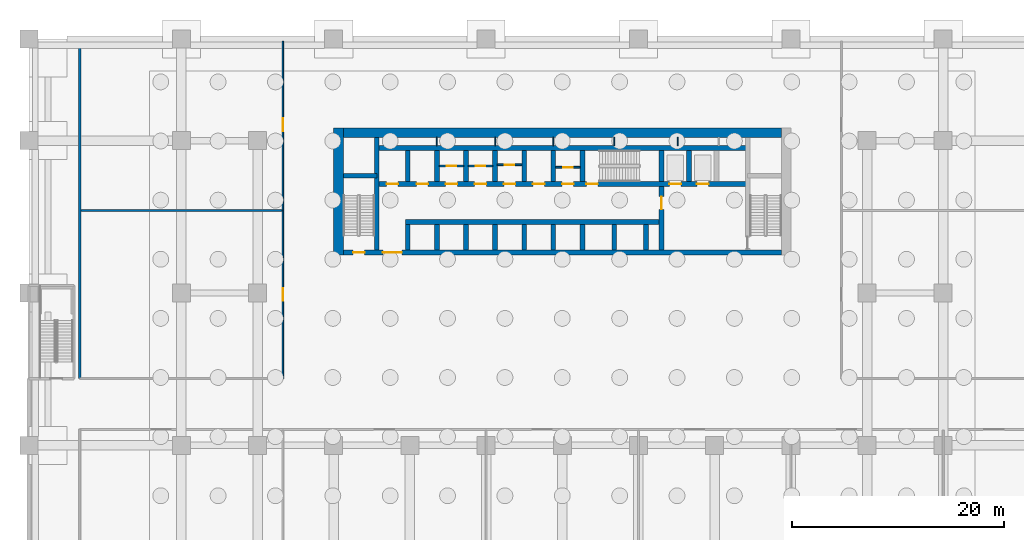
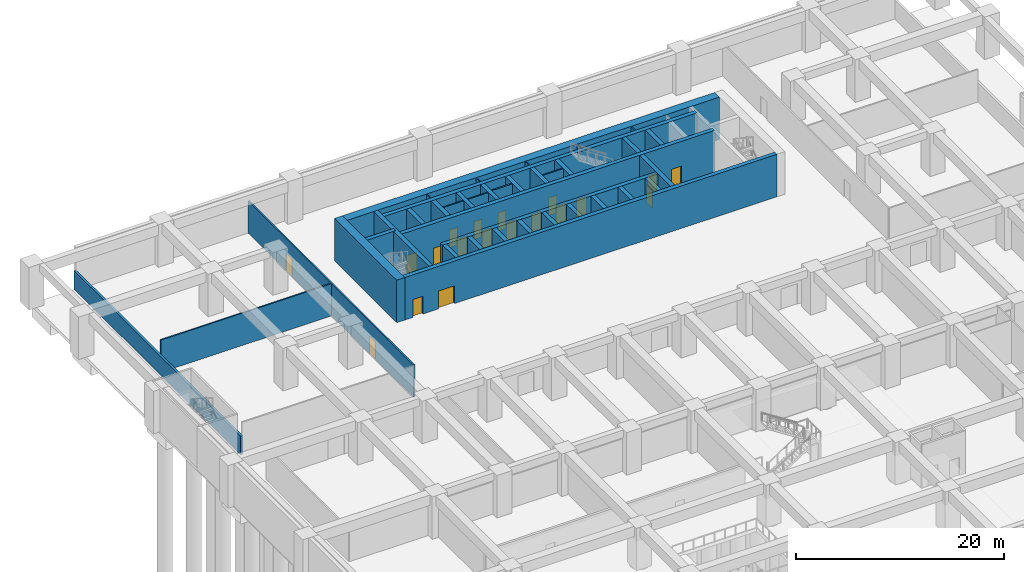
# One storey, part 8 of 20: 39 walls, 19 doors, 19 openings.
"""IFC4 building model written with IfcOpenShell, lengths in metres."""

from ifc_helpers import new_model, si_unit, direction, frame, frame_2d, origin, place, context, subcontext, project, spatial, rectangle, extrude, material, layer, layer_set, type_object, element, fill, save


model = new_model("IFC4")

# Units and contexts
model_context = context("Model", 3, precision=1e-05, world=origin(), true_north=direction((0.0, 1.0)))
body_context = subcontext(model_context, "Body", "Model", "MODEL_VIEW")
ifc_project = project(units=[si_unit("LENGTHUNIT", "METRE"), si_unit("AREAUNIT", "SQUARE_METRE"), si_unit("VOLUMEUNIT", "CUBIC_METRE"), si_unit("PLANEANGLEUNIT", "RADIAN"), si_unit("MASSUNIT", "GRAM", prefix="KILO")], contexts=[model_context])

# Site, building, storey
site_placement = place(None, origin())
site = spatial("IfcSite", under=ifc_project, at=site_placement, CompositionType="ELEMENT")
building_placement = place(site_placement, origin())
building = spatial("IfcBuilding", under=site, at=building_placement, Name="Saffron Iwan Residences", CompositionType="ELEMENT")
storey_placement = place(building_placement, frame((0.0, 0.0, -5.39990234375)))
storey = spatial("IfcBuildingStorey", under=building, at=storey_placement, Name="B1", CompositionType="ELEMENT", Elevation=-5.39990234375)

# Wall
ifc_material_1 = material(Name="Concrete blockwork", Category="masonry")
ifc_layer_1 = layer(ifc_material_1, 0.14990234375)
ifc_layer_set_1 = layer_set([ifc_layer_1], Name="Concrete blockwork")
wall_type_1 = type_object("IfcWallType", Name="Blockwork partition 150", PredefinedType="PARTITIONING", material=ifc_layer_set_1)
wall_1_placement = place(storey_placement, frame((4.925048828125, 70.199951171875, 0.0), z_axis=(0.0, 0.0, 1.0), x_axis=(1.0, 0.0, 0.0)))
element("IfcWall", 1, at=wall_1_placement, inside=storey, type_object=wall_type_1, Name="W-B1-021", PredefinedType="PARTITIONING", context=body_context, shape_type="SweptSolid", body=[
    extrude(rectangle(XDim=19.0, YDim=0.14990234375, at=frame_2d((9.5, 0.0))), origin(), (0.0, 0.0, 1.0), 3.7998046875),
])

# Wall, openings, doors
wall_2_placement = place(storey_placement, frame((24.0, 54.300048828125, 0.0), z_axis=(0.0, 0.0, 1.0), x_axis=(0.0, 1.0, 0.0)))
wall_2 = element("IfcWall", 2, at=wall_2_placement, inside=storey, type_object=wall_type_1, Name="W-B1-034", PredefinedType="PARTITIONING", context=body_context, shape_type="SweptSolid", body=[
    extrude(rectangle(XDim=31.89990234375, YDim=0.14990234375, at=frame_2d((15.949951171875, 0.0))), origin(), (0.0, 0.0, 1.0), 3.7998046875),
])
opening_1_placement = place(wall_2_placement, frame((7.35009765625, 0.0, 0.0)))
opening_1 = element("IfcOpeningElement", 3, at=opening_1_placement, cuts=wall_2, Name="Opening B1.17", PredefinedType="OPENING", context=body_context, shape_type="SweptSolid", body=[
    extrude(rectangle(XDim=1.199951171875, YDim=2.10009765625, at=frame_2d((0.60009765625, 1.050048828125))), frame((0.0, 0.0849609375, 0.0), z_axis=(0.0, -1.0, 0.0), x_axis=(1.0, 0.0, 0.0)), (0.0, 0.0, 1.0), 0.169921875),
])
opening_2_placement = place(wall_2_placement, frame((23.39990234375, 0.0, 0.0)))
opening_2 = element("IfcOpeningElement", 4, at=opening_2_placement, cuts=wall_2, Name="Opening B1.18", PredefinedType="OPENING", context=body_context, shape_type="SweptSolid", body=[
    extrude(rectangle(XDim=1.199951171875, YDim=2.10009765625, at=frame_2d((0.60009765625, 1.050048828125))), frame((0.0, 0.0849609375, 0.0), z_axis=(0.0, -1.0, 0.0), x_axis=(1.0, 0.0, 0.0)), (0.0, 0.0, 1.0), 0.169921875),
])
ifc_material_2 = material(Name="Steel", Category="steel")
door_type_1 = type_object("IfcDoorType", Name="Fire door 1200x2100", OperationType="NOTDEFINED", PredefinedType="DOOR", material=ifc_material_2)
door_1_placement = place(opening_1_placement, origin())
door_1 = element("IfcDoor", 5, at=door_1_placement, inside=storey, type_object=door_type_1, Name="D-B1-017", OperationType="SINGLE_SWING_LEFT", OverallHeight=2.10009765625, OverallWidth=1.199951171875, PredefinedType="DOOR", context=body_context, shape_type="SweptSolid", body=[
    extrude(rectangle(XDim=1.199951171875, YDim=2.10009765625, at=frame_2d((0.60009765625, 1.050048828125))), frame((0.0, 0.02490234375, 0.0), z_axis=(0.0, -1.0, 0.0), x_axis=(1.0, 0.0, 0.0)), (0.0, 0.0, 1.0), 0.050048828125),
])
fill(opening_1, door_1)
door_2_placement = place(opening_2_placement, origin())
door_2 = element("IfcDoor", 6, at=door_2_placement, inside=storey, type_object=door_type_1, Name="D-B1-018", OperationType="SINGLE_SWING_RIGHT", OverallHeight=2.10009765625, OverallWidth=1.199951171875, PredefinedType="DOOR", context=body_context, shape_type="SweptSolid", body=[
    extrude(rectangle(XDim=1.199951171875, YDim=2.10009765625, at=frame_2d((0.60009765625, 1.050048828125))), frame((0.0, 0.02490234375, 0.0), z_axis=(0.0, -1.0, 0.0), x_axis=(1.0, 0.0, 0.0)), (0.0, 0.0, 1.0), 0.050048828125),
])
fill(opening_2, door_2)

# Wall, opening, door
ifc_material_3 = material(Name="Fire-rated plasterboard partition")
ifc_layer_2 = layer(ifc_material_3, 0.14990234375)
ifc_layer_set_2 = layer_set([ifc_layer_2], Name="Fire-rated plasterboard partition")
wall_type_2 = type_object("IfcWallType", Name="Core partition 150", PredefinedType="PARTITIONING", material=ifc_layer_set_2)
wall_3_placement = place(storey_placement, frame((38.77490234375, 74.39990234375, 0.0), z_axis=(0.0, 0.0, 1.0), x_axis=(1.0, 0.0, 0.0)))
wall_3 = element("IfcWall", 7, at=wall_3_placement, inside=storey, type_object=wall_type_2, Name="Core partition P01", PredefinedType="PARTITIONING", context=body_context, shape_type="SweptSolid", body=[
    extrude(rectangle(XDim=2.300048828125, YDim=0.14990234375, at=frame_2d((1.14990234375, 0.0))), origin(), (0.0, 0.0, 1.0), 5.0),
])
opening_3_placement = place(wall_3_placement, frame((0.699951171875, 0.0, 0.0)))
opening_3 = element("IfcOpeningElement", 8, at=opening_3_placement, cuts=wall_3, Name="Opening SB", PredefinedType="OPENING", context=body_context, shape_type="SweptSolid", body=[
    extrude(rectangle(XDim=0.89990234375, YDim=2.10009765625, at=frame_2d((0.449951171875, 1.050048828125))), frame((0.0, 0.0849609375, 0.0), z_axis=(0.0, -1.0, 0.0), x_axis=(1.0, 0.0, 0.0)), (0.0, 0.0, 1.0), 0.169921875),
])
ifc_material_4 = material(Name="Steel fire door", Category="steel")
door_type_2 = type_object("IfcDoorType", Name="Store door 900", OperationType="NOTDEFINED", PredefinedType="DOOR", material=ifc_material_4)
door_3_placement = place(opening_3_placement, origin())
door_3 = element("IfcDoor", 9, at=door_3_placement, inside=storey, type_object=door_type_2, Name="Door Records store", OperationType="SINGLE_SWING_RIGHT", OverallHeight=2.10009765625, OverallWidth=0.89990234375, PredefinedType="DOOR", context=body_context, shape_type="SweptSolid", body=[
    extrude(rectangle(XDim=0.89990234375, YDim=2.10009765625, at=frame_2d((0.449951171875, 1.050048828125))), frame((0.0, 0.02490234375, 0.0), z_axis=(0.0, -1.0, 0.0), x_axis=(1.0, 0.0, 0.0)), (0.0, 0.0, 1.0), 0.050048828125),
])
fill(opening_3, door_3)

wall_4_placement = place(storey_placement, frame((41.52490234375, 74.39990234375, 0.0), z_axis=(0.0, 0.0, 1.0), x_axis=(1.0, 0.0, 0.0)))
wall_4 = element("IfcWall", 10, at=wall_4_placement, inside=storey, type_object=wall_type_2, Name="Core partition P02", PredefinedType="PARTITIONING", context=body_context, shape_type="SweptSolid", body=[
    extrude(rectangle(XDim=2.300048828125, YDim=0.14990234375, at=frame_2d((1.14990234375, 0.0))), origin(), (0.0, 0.0, 1.0), 5.0),
])
opening_4_placement = place(wall_4_placement, frame((0.699951171875, 0.0, 0.0)))
opening_4 = element("IfcOpeningElement", 11, at=opening_4_placement, cuts=wall_4, Name="Opening SB", PredefinedType="OPENING", context=body_context, shape_type="SweptSolid", body=[
    extrude(rectangle(XDim=0.89990234375, YDim=2.10009765625, at=frame_2d((0.449951171875, 1.050048828125))), frame((0.0, 0.0849609375, 0.0), z_axis=(0.0, -1.0, 0.0), x_axis=(1.0, 0.0, 0.0)), (0.0, 0.0, 1.0), 0.169921875),
])
door_4_placement = place(opening_4_placement, origin())
door_4 = element("IfcDoor", 12, at=door_4_placement, inside=storey, type_object=door_type_2, Name="Door Stationery store", OperationType="SINGLE_SWING_LEFT", OverallHeight=2.10009765625, OverallWidth=0.89990234375, PredefinedType="DOOR", context=body_context, shape_type="SweptSolid", body=[
    extrude(rectangle(XDim=0.89990234375, YDim=2.10009765625, at=frame_2d((0.449951171875, 1.050048828125))), frame((0.0, 0.02490234375, 0.0), z_axis=(0.0, -1.0, 0.0), x_axis=(1.0, 0.0, 0.0)), (0.0, 0.0, 1.0), 0.050048828125),
])
fill(opening_4, door_4)

wall_5_placement = place(storey_placement, frame((44.27490234375, 74.51806640625, 0.0), z_axis=(0.0, 0.0, 1.0), x_axis=(1.0, 0.0, 0.0)))
wall_5 = element("IfcWall", 13, at=wall_5_placement, inside=storey, type_object=wall_type_2, Name="Core partition P03", PredefinedType="PARTITIONING", context=body_context, shape_type="SweptSolid", body=[
    extrude(rectangle(XDim=2.300048828125, YDim=0.14990234375, at=frame_2d((1.14990234375, 0.0))), origin(), (0.0, 0.0, 1.0), 5.0),
])
opening_5_placement = place(wall_5_placement, frame((0.699951171875, 0.0, 0.0)))
opening_5 = element("IfcOpeningElement", 14, at=opening_5_placement, cuts=wall_5, Name="Opening SB", PredefinedType="OPENING", context=body_context, shape_type="SweptSolid", body=[
    extrude(rectangle(XDim=0.89990234375, YDim=2.10009765625, at=frame_2d((0.449951171875, 1.050048828125))), frame((0.0, 0.0849609375, 0.0), z_axis=(0.0, -1.0, 0.0), x_axis=(1.0, 0.0, 0.0)), (0.0, 0.0, 1.0), 0.169921875),
])
door_5_placement = place(opening_5_placement, origin())
door_5 = element("IfcDoor", 15, at=door_5_placement, inside=storey, type_object=door_type_2, Name="Door Tool store", OperationType="SINGLE_SWING_LEFT", OverallHeight=2.10009765625, OverallWidth=0.89990234375, PredefinedType="DOOR", context=body_context, shape_type="SweptSolid", body=[
    extrude(rectangle(XDim=0.89990234375, YDim=2.10009765625, at=frame_2d((0.449951171875, 1.050048828125))), frame((0.0, 0.02490234375, 0.0), z_axis=(0.0, -1.0, 0.0), x_axis=(1.0, 0.0, 0.0)), (0.0, 0.0, 1.0), 0.050048828125),
])
fill(opening_5, door_5)

wall_6_placement = place(storey_placement, frame((49.77490234375, 74.281982421875, 0.0), z_axis=(0.0, 0.0, 1.0), x_axis=(1.0, 0.0, 0.0)))
wall_6 = element("IfcWall", 16, at=wall_6_placement, inside=storey, type_object=wall_type_2, Name="Core partition P04", PredefinedType="PARTITIONING", context=body_context, shape_type="SweptSolid", body=[
    extrude(rectangle(XDim=2.300048828125, YDim=0.14990234375, at=frame_2d((1.14990234375, 0.0))), origin(), (0.0, 0.0, 1.0), 5.0),
])
opening_6_placement = place(wall_6_placement, frame((0.699951171875, 0.0, 0.0)))
opening_6 = element("IfcOpeningElement", 17, at=opening_6_placement, cuts=wall_6, Name="Opening SB", PredefinedType="OPENING", context=body_context, shape_type="SweptSolid", body=[
    extrude(rectangle(XDim=0.89990234375, YDim=2.10009765625, at=frame_2d((0.449951171875, 1.050048828125))), frame((0.0, 0.0849609375, 0.0), z_axis=(0.0, -1.0, 0.0), x_axis=(1.0, 0.0, 0.0)), (0.0, 0.0, 1.0), 0.169921875),
])
door_6_placement = place(opening_6_placement, origin())
door_6 = element("IfcDoor", 18, at=door_6_placement, inside=storey, type_object=door_type_2, Name="Door Equipment store", OperationType="SINGLE_SWING_RIGHT", OverallHeight=2.10009765625, OverallWidth=0.89990234375, PredefinedType="DOOR", context=body_context, shape_type="SweptSolid", body=[
    extrude(rectangle(XDim=0.89990234375, YDim=2.10009765625, at=frame_2d((0.449951171875, 1.050048828125))), frame((0.0, 0.02490234375, 0.0), z_axis=(0.0, -1.0, 0.0), x_axis=(1.0, 0.0, 0.0)), (0.0, 0.0, 1.0), 0.050048828125),
])
fill(opening_6, door_6)

# Walls
ifc_material_5 = material(Name="Concrete C40/50", Category="concrete")
ifc_layer_3 = layer(ifc_material_5, 0.25)
ifc_layer_set_3 = layer_set([ifc_layer_3], Name="Concrete C40/50")
wall_type_3 = type_object("IfcWallType", Name="Fire compartment wall 250", PredefinedType="SOLIDWALL", material=ifc_layer_set_3)
wall_7_placement = place(storey_placement, frame((4.800048828125, 54.300048828125, 0.0), z_axis=(0.0, 0.0, 1.0), x_axis=(0.0, 1.0, 0.0)))
element("IfcWall", 19, at=wall_7_placement, inside=storey, type_object=wall_type_3, Name="W-B1-030", PredefinedType="SOLIDWALL", context=body_context, shape_type="SweptSolid", body=[
    extrude(rectangle(XDim=32.099853515625, YDim=0.25, at=frame_2d((16.0498046875, 0.0))), origin(), (0.0, 0.0, 1.0), 2.199951171875),
])
ifc_layer_4 = layer(ifc_material_3, 0.10009765625)
ifc_layer_set_4 = layer_set([ifc_layer_4], Name="Fire-rated plasterboard partition")
wall_type_4 = type_object("IfcWallType", Name="Riser partition 100", PredefinedType="PARTITIONING", material=ifc_layer_set_4)
for number, where, z_axis, x_axis, name in (
    (20, (38.550048828125, 76.324951171875, 0.0), (0.0, 0.0, 1.0), (0.0, 1.0, 0.0), "Core partition P05"),
    (21, (44.050048828125, 76.324951171875, 0.0), (0.0, 0.0, 1.0), (0.0, 1.0, 0.0), "Core partition P06"),
    (22, (49.550048828125, 76.324951171875, 0.0), (0.0, 0.0, 1.0), (0.0, 1.0, 0.0), "Core partition P07"),
    (23, (55.300048828125, 76.324951171875, 0.0), (0.0, 0.0, 1.0), (0.0, 1.0, 0.0), "Core partition P08"),
    (24, (61.300048828125, 76.324951171875, 0.0), (0.0, 0.0, 1.0), (0.0, 1.0, 0.0), "Core partition P09"),
):
    element("IfcWall", number, at=place(storey_placement, frame(where, z_axis=z_axis, x_axis=x_axis)), inside=storey, type_object=wall_type_4, Name=name, PredefinedType="PARTITIONING", context=body_context, shape_type="SweptSolid", body=[
        extrude(rectangle(XDim=0.775146484375, YDim=0.10009765625, at=frame_2d((0.3876953125, 0.0))), origin(), (0.0, 0.0, 1.0), 5.0),
    ])

# Wall, openings, doors
ifc_material_6 = material(Name="Concrete C60/75", Category="concrete")
ifc_layer_5 = layer(ifc_material_6, 0.449951171875)
ifc_layer_set_5 = layer_set([ifc_layer_5], Name="Concrete C60/75")
wall_type_5 = type_object("IfcWallType", Name="WALL CORE 450 C60/75 5000 HIGH", PredefinedType="SHEAR", material=ifc_layer_set_5)
wall_8_placement = place(storey_placement, frame((29.699951171875, 66.22509765625, 0.0), z_axis=(0.0, 0.0, 1.0), x_axis=(1.0, 0.0, 0.0)))
wall_8 = element("IfcWall", 25, at=wall_8_placement, inside=storey, type_object=wall_type_5, Name="Core wall", PredefinedType="SHEAR", context=body_context, shape_type="SweptSolid", body=[
    extrude(rectangle(XDim=41.400146484375, YDim=0.449951171875, at=frame_2d((20.7001953125, 0.0))), origin(), (0.0, 0.0, 1.0), 5.0),
])
opening_7_placement = place(wall_8_placement, frame((0.925048828125, 0.0, 0.0)))
opening_7 = element("IfcOpeningElement", 26, at=opening_7_placement, cuts=wall_8, Name="Opening SD", PredefinedType="OPENING", context=body_context, shape_type="SweptSolid", body=[
    extrude(rectangle(XDim=1.10009765625, YDim=2.10009765625, at=frame_2d((0.550048828125, 1.050048828125))), frame((0.0, 0.23486328125, 0.0), z_axis=(0.0, -1.0, 0.0), x_axis=(1.0, 0.0, 0.0)), (0.0, 0.0, 1.0), 0.469970703125),
])
opening_8_placement = place(wall_8_placement, frame((3.737548828125, 0.0, 0.0)))
opening_8 = element("IfcOpeningElement", 27, at=opening_8_placement, cuts=wall_8, Name="Opening DD", PredefinedType="OPENING", context=body_context, shape_type="SweptSolid", body=[
    extrude(rectangle(XDim=1.800048828125, YDim=2.10009765625, at=frame_2d((0.89990234375, 1.050048828125))), frame((0.0, 0.23486328125, 0.0), z_axis=(0.0, -1.0, 0.0), x_axis=(1.0, 0.0, 0.0)), (0.0, 0.0, 1.0), 0.469970703125),
])
door_type_3 = type_object("IfcDoorType", Name="Lobby double door 1800", OperationType="DOUBLE_DOOR_SINGLE_SWING", PredefinedType="DOOR", material=ifc_material_4)
door_7_placement = place(opening_8_placement, origin())
door_7 = element("IfcDoor", 28, at=door_7_placement, inside=storey, type_object=door_type_3, Name="Lobby doors", OperationType="DOUBLE_DOOR_SINGLE_SWING", OverallHeight=2.10009765625, OverallWidth=1.800048828125, PredefinedType="DOOR", context=body_context, shape_type="SweptSolid", body=[
    extrude(rectangle(XDim=1.800048828125, YDim=2.10009765625, at=frame_2d((0.89990234375, 1.050048828125))), frame((0.0, 0.02490234375, 0.0), z_axis=(0.0, -1.0, 0.0), x_axis=(1.0, 0.0, 0.0)), (0.0, 0.0, 1.0), 0.050048828125),
])
fill(opening_8, door_7)
door_type_4 = type_object("IfcDoorType", Name="Stair door 1100", OperationType="NOTDEFINED", PredefinedType="DOOR", material=ifc_material_4)
door_8_placement = place(opening_7_placement, origin())
door_8 = element("IfcDoor", 29, at=door_8_placement, inside=storey, type_object=door_type_4, Name="Stair door ST-W", OperationType="SINGLE_SWING_LEFT", OverallHeight=2.10009765625, OverallWidth=1.10009765625, PredefinedType="DOOR", context=body_context, shape_type="SweptSolid", body=[
    extrude(rectangle(XDim=1.10009765625, YDim=2.10009765625, at=frame_2d((0.550048828125, 1.050048828125))), frame((0.0, 0.02490234375, 0.0), z_axis=(0.0, -1.0, 0.0), x_axis=(1.0, 0.0, 0.0)), (0.0, 0.0, 1.0), 0.050048828125),
])
fill(opening_7, door_8)

# Wall
wall_9_placement = place(storey_placement, frame((35.574951171875, 69.10009765625, 0.0), z_axis=(0.0, 0.0, 1.0), x_axis=(1.0, 0.0, 0.0)))
element("IfcWall", 30, at=wall_9_placement, inside=storey, type_object=wall_type_5, Name="Core wall", PredefinedType="SHEAR", context=body_context, shape_type="SweptSolid", body=[
    extrude(rectangle(XDim=24.199951171875, YDim=0.449951171875, at=frame_2d((12.10009765625, 0.0))), origin(), (0.0, 0.0, 1.0), 5.0),
])

# Wall, openings, doors
wall_10_placement = place(storey_placement, frame((32.875, 72.699951171875, 0.0), z_axis=(0.0, 0.0, 1.0), x_axis=(1.0, 0.0, 0.0)))
wall_10 = element("IfcWall", 31, at=wall_10_placement, inside=storey, type_object=wall_type_5, Name="Core wall", PredefinedType="SHEAR", context=body_context, shape_type="SweptSolid", body=[
    extrude(rectangle(XDim=35.050048828125, YDim=0.449951171875, at=frame_2d((17.52490234375, 0.0))), origin(), (0.0, 0.0, 1.0), 5.0),
])
opening_9_placement = place(wall_10_placement, frame((19.800048828125, 0.0, 0.0)))
opening_9 = element("IfcOpeningElement", 32, at=opening_9_placement, cuts=wall_10, Name="Opening SD", PredefinedType="OPENING", context=body_context, shape_type="SweptSolid", body=[
    extrude(rectangle(XDim=1.10009765625, YDim=2.10009765625, at=frame_2d((0.550048828125, 1.050048828125))), frame((0.0, 0.23486328125, 0.0), z_axis=(0.0, -1.0, 0.0), x_axis=(1.0, 0.0, 0.0)), (0.0, 0.0, 1.0), 0.469970703125),
])
opening_10_placement = place(wall_10_placement, frame((27.64990234375, 0.0, 0.0)))
opening_10 = element("IfcOpeningElement", 33, at=opening_10_placement, cuts=wall_10, Name="Opening LD", PredefinedType="OPENING", context=body_context, shape_type="SweptSolid", body=[
    extrude(rectangle(XDim=1.10009765625, YDim=2.10009765625, at=frame_2d((0.550048828125, 1.050048828125))), frame((0.0, 0.23486328125, 0.0), z_axis=(0.0, -1.0, 0.0), x_axis=(1.0, 0.0, 0.0)), (0.0, 0.0, 1.0), 0.469970703125),
])
opening_11_placement = place(wall_10_placement, frame((30.25, 0.0, 0.0)))
opening_11 = element("IfcOpeningElement", 34, at=opening_11_placement, cuts=wall_10, Name="Opening LD", PredefinedType="OPENING", context=body_context, shape_type="SweptSolid", body=[
    extrude(rectangle(XDim=1.10009765625, YDim=2.10009765625, at=frame_2d((0.550048828125, 1.050048828125))), frame((0.0, 0.23486328125, 0.0), z_axis=(0.0, -1.0, 0.0), x_axis=(1.0, 0.0, 0.0)), (0.0, 0.0, 1.0), 0.469970703125),
])
opening_12_placement = place(wall_10_placement, frame((3.75, 0.0, 0.0)))
opening_12 = element("IfcOpeningElement", 35, at=opening_12_placement, cuts=wall_10, Name="Opening SR", PredefinedType="OPENING", context=body_context, shape_type="SweptSolid", body=[
    extrude(rectangle(XDim=1.10009765625, YDim=2.10009765625, at=frame_2d((0.550048828125, 1.050048828125))), frame((0.0, 0.23486328125, 0.0), z_axis=(0.0, -1.0, 0.0), x_axis=(1.0, 0.0, 0.0)), (0.0, 0.0, 1.0), 0.469970703125),
])
opening_13_placement = place(wall_10_placement, frame((6.5, 0.0, 0.0)))
opening_13 = element("IfcOpeningElement", 36, at=opening_13_placement, cuts=wall_10, Name="Opening SR", PredefinedType="OPENING", context=body_context, shape_type="SweptSolid", body=[
    extrude(rectangle(XDim=1.10009765625, YDim=2.10009765625, at=frame_2d((0.550048828125, 1.050048828125))), frame((0.0, 0.23486328125, 0.0), z_axis=(0.0, -1.0, 0.0), x_axis=(1.0, 0.0, 0.0)), (0.0, 0.0, 1.0), 0.469970703125),
])
opening_14_placement = place(wall_10_placement, frame((9.25, 0.0, 0.0)))
opening_14 = element("IfcOpeningElement", 37, at=opening_14_placement, cuts=wall_10, Name="Opening SR", PredefinedType="OPENING", context=body_context, shape_type="SweptSolid", body=[
    extrude(rectangle(XDim=1.10009765625, YDim=2.10009765625, at=frame_2d((0.550048828125, 1.050048828125))), frame((0.0, 0.23486328125, 0.0), z_axis=(0.0, -1.0, 0.0), x_axis=(1.0, 0.0, 0.0)), (0.0, 0.0, 1.0), 0.469970703125),
])
opening_15_placement = place(wall_10_placement, frame((12.0, 0.0, 0.0)))
opening_15 = element("IfcOpeningElement", 38, at=opening_15_placement, cuts=wall_10, Name="Opening SR", PredefinedType="OPENING", context=body_context, shape_type="SweptSolid", body=[
    extrude(rectangle(XDim=1.10009765625, YDim=2.10009765625, at=frame_2d((0.550048828125, 1.050048828125))), frame((0.0, 0.23486328125, 0.0), z_axis=(0.0, -1.0, 0.0), x_axis=(1.0, 0.0, 0.0)), (0.0, 0.0, 1.0), 0.469970703125),
])
opening_16_placement = place(wall_10_placement, frame((14.75, 0.0, 0.0)))
opening_16 = element("IfcOpeningElement", 39, at=opening_16_placement, cuts=wall_10, Name="Opening SR", PredefinedType="OPENING", context=body_context, shape_type="SweptSolid", body=[
    extrude(rectangle(XDim=1.10009765625, YDim=2.10009765625, at=frame_2d((0.550048828125, 1.050048828125))), frame((0.0, 0.23486328125, 0.0), z_axis=(0.0, -1.0, 0.0), x_axis=(1.0, 0.0, 0.0)), (0.0, 0.0, 1.0), 0.469970703125),
])
opening_17_placement = place(wall_10_placement, frame((17.5, 0.0, 0.0)))
opening_17 = element("IfcOpeningElement", 40, at=opening_17_placement, cuts=wall_10, Name="Opening SR", PredefinedType="OPENING", context=body_context, shape_type="SweptSolid", body=[
    extrude(rectangle(XDim=1.10009765625, YDim=2.10009765625, at=frame_2d((0.550048828125, 1.050048828125))), frame((0.0, 0.23486328125, 0.0), z_axis=(0.0, -1.0, 0.0), x_axis=(1.0, 0.0, 0.0)), (0.0, 0.0, 1.0), 0.469970703125),
])
opening_18_placement = place(wall_10_placement, frame((0.91259765625, 0.0, 0.0)))
opening_18 = element("IfcOpeningElement", 41, at=opening_18_placement, cuts=wall_10, Name="Opening SR", PredefinedType="OPENING", context=body_context, shape_type="SweptSolid", body=[
    extrude(rectangle(XDim=1.10009765625, YDim=2.10009765625, at=frame_2d((0.550048828125, 1.050048828125))), frame((0.0, 0.23486328125, 0.0), z_axis=(0.0, -1.0, 0.0), x_axis=(1.0, 0.0, 0.0)), (0.0, 0.0, 1.0), 0.469970703125),
])
door_type_5 = type_object("IfcDoorType", Name="Lift landing door 1100", OperationType="SLIDING_TO_LEFT", PredefinedType="DOOR", material=ifc_material_4)
door_9_placement = place(opening_10_placement, origin())
door_9 = element("IfcDoor", 42, at=door_9_placement, inside=storey, type_object=door_type_5, Name="Landing doors FF1", OperationType="SLIDING_TO_LEFT", OverallHeight=2.10009765625, OverallWidth=1.10009765625, PredefinedType="DOOR", context=body_context, shape_type="SweptSolid", body=[
    extrude(rectangle(XDim=1.10009765625, YDim=2.10009765625, at=frame_2d((0.550048828125, 1.050048828125))), frame((0.0, 0.02490234375, 0.0), z_axis=(0.0, -1.0, 0.0), x_axis=(1.0, 0.0, 0.0)), (0.0, 0.0, 1.0), 0.050048828125),
])
fill(opening_10, door_9)
door_10_placement = place(opening_11_placement, origin())
door_10 = element("IfcDoor", 43, at=door_10_placement, inside=storey, type_object=door_type_5, Name="Landing doors FF2", OperationType="SLIDING_TO_LEFT", OverallHeight=2.10009765625, OverallWidth=1.10009765625, PredefinedType="DOOR", context=body_context, shape_type="SweptSolid", body=[
    extrude(rectangle(XDim=1.10009765625, YDim=2.10009765625, at=frame_2d((0.550048828125, 1.050048828125))), frame((0.0, 0.02490234375, 0.0), z_axis=(0.0, -1.0, 0.0), x_axis=(1.0, 0.0, 0.0)), (0.0, 0.0, 1.0), 0.050048828125),
])
fill(opening_11, door_10)
door_type_6 = type_object("IfcDoorType", Name="Service door 1100", OperationType="NOTDEFINED", PredefinedType="DOOR", material=ifc_material_4)
door_11_placement = place(opening_12_placement, origin())
door_11 = element("IfcDoor", 44, at=door_11_placement, inside=storey, type_object=door_type_6, Name="Door Communications room", OperationType="SINGLE_SWING_LEFT", OverallHeight=2.10009765625, OverallWidth=1.10009765625, PredefinedType="DOOR", context=body_context, shape_type="SweptSolid", body=[
    extrude(rectangle(XDim=1.10009765625, YDim=2.10009765625, at=frame_2d((0.550048828125, 1.050048828125))), frame((0.0, 0.02490234375, 0.0), z_axis=(0.0, -1.0, 0.0), x_axis=(1.0, 0.0, 0.0)), (0.0, 0.0, 1.0), 0.050048828125),
])
fill(opening_12, door_11)
door_12_placement = place(opening_13_placement, origin())
door_12 = element("IfcDoor", 45, at=door_12_placement, inside=storey, type_object=door_type_6, Name="Door Switch room", OperationType="SINGLE_SWING_LEFT", OverallHeight=2.10009765625, OverallWidth=1.10009765625, PredefinedType="DOOR", context=body_context, shape_type="SweptSolid", body=[
    extrude(rectangle(XDim=1.10009765625, YDim=2.10009765625, at=frame_2d((0.550048828125, 1.050048828125))), frame((0.0, 0.02490234375, 0.0), z_axis=(0.0, -1.0, 0.0), x_axis=(1.0, 0.0, 0.0)), (0.0, 0.0, 1.0), 0.050048828125),
])
fill(opening_13, door_12)
door_13_placement = place(opening_14_placement, origin())
door_13 = element("IfcDoor", 46, at=door_13_placement, inside=storey, type_object=door_type_6, Name="Door Furniture store", OperationType="SINGLE_SWING_LEFT", OverallHeight=2.10009765625, OverallWidth=1.10009765625, PredefinedType="DOOR", context=body_context, shape_type="SweptSolid", body=[
    extrude(rectangle(XDim=1.10009765625, YDim=2.10009765625, at=frame_2d((0.550048828125, 1.050048828125))), frame((0.0, 0.02490234375, 0.0), z_axis=(0.0, -1.0, 0.0), x_axis=(1.0, 0.0, 0.0)), (0.0, 0.0, 1.0), 0.050048828125),
])
fill(opening_14, door_13)
door_14_placement = place(opening_15_placement, origin())
door_14 = element("IfcDoor", 47, at=door_14_placement, inside=storey, type_object=door_type_6, Name="Door Housekeeping store", OperationType="SINGLE_SWING_LEFT", OverallHeight=2.10009765625, OverallWidth=1.10009765625, PredefinedType="DOOR", context=body_context, shape_type="SweptSolid", body=[
    extrude(rectangle(XDim=1.10009765625, YDim=2.10009765625, at=frame_2d((0.550048828125, 1.050048828125))), frame((0.0, 0.02490234375, 0.0), z_axis=(0.0, -1.0, 0.0), x_axis=(1.0, 0.0, 0.0)), (0.0, 0.0, 1.0), 0.050048828125),
])
fill(opening_15, door_14)
door_15_placement = place(opening_16_placement, origin())
door_15 = element("IfcDoor", 48, at=door_15_placement, inside=storey, type_object=door_type_6, Name="Door Cleaner's store", OperationType="SINGLE_SWING_LEFT", OverallHeight=2.10009765625, OverallWidth=1.10009765625, PredefinedType="DOOR", context=body_context, shape_type="SweptSolid", body=[
    extrude(rectangle(XDim=1.10009765625, YDim=2.10009765625, at=frame_2d((0.550048828125, 1.050048828125))), frame((0.0, 0.02490234375, 0.0), z_axis=(0.0, -1.0, 0.0), x_axis=(1.0, 0.0, 0.0)), (0.0, 0.0, 1.0), 0.050048828125),
])
fill(opening_16, door_15)
door_16_placement = place(opening_17_placement, origin())
door_16 = element("IfcDoor", 49, at=door_16_placement, inside=storey, type_object=door_type_6, Name="Door Trolley store", OperationType="SINGLE_SWING_LEFT", OverallHeight=2.10009765625, OverallWidth=1.10009765625, PredefinedType="DOOR", context=body_context, shape_type="SweptSolid", body=[
    extrude(rectangle(XDim=1.10009765625, YDim=2.10009765625, at=frame_2d((0.550048828125, 1.050048828125))), frame((0.0, 0.02490234375, 0.0), z_axis=(0.0, -1.0, 0.0), x_axis=(1.0, 0.0, 0.0)), (0.0, 0.0, 1.0), 0.050048828125),
])
fill(opening_17, door_16)
door_17_placement = place(opening_18_placement, origin())
door_17 = element("IfcDoor", 50, at=door_17_placement, inside=storey, type_object=door_type_6, Name="Door Staff WC", OperationType="SINGLE_SWING_LEFT", OverallHeight=2.10009765625, OverallWidth=1.10009765625, PredefinedType="DOOR", context=body_context, shape_type="SweptSolid", body=[
    extrude(rectangle(XDim=1.10009765625, YDim=2.10009765625, at=frame_2d((0.550048828125, 1.050048828125))), frame((0.0, 0.02490234375, 0.0), z_axis=(0.0, -1.0, 0.0), x_axis=(1.0, 0.0, 0.0)), (0.0, 0.0, 1.0), 0.050048828125),
])
fill(opening_18, door_17)
door_18_placement = place(opening_9_placement, origin())
door_18 = element("IfcDoor", 51, at=door_18_placement, inside=storey, type_object=door_type_4, Name="Stair door ST-C", OperationType="SINGLE_SWING_LEFT", OverallHeight=2.10009765625, OverallWidth=1.10009765625, PredefinedType="DOOR", context=body_context, shape_type="SweptSolid", body=[
    extrude(rectangle(XDim=1.10009765625, YDim=2.10009765625, at=frame_2d((0.550048828125, 1.050048828125))), frame((0.0, 0.02490234375, 0.0), z_axis=(0.0, -1.0, 0.0), x_axis=(1.0, 0.0, 0.0)), (0.0, 0.0, 1.0), 0.050048828125),
])
fill(opening_9, door_18)

# Walls
wall_11_placement = place(storey_placement, frame((32.875, 76.10009765625, 0.0), z_axis=(0.0, 0.0, 1.0), x_axis=(1.0, 0.0, 0.0)))
element("IfcWall", 52, at=wall_11_placement, inside=storey, type_object=wall_type_5, Name="Core wall", PredefinedType="SHEAR", context=body_context, shape_type="SweptSolid", body=[
    extrude(rectangle(XDim=35.050048828125, YDim=0.449951171875, at=frame_2d((17.52490234375, 0.0))), origin(), (0.0, 0.0, 1.0), 5.0),
])
wall_12_placement = place(storey_placement, frame((29.699951171875, 73.47509765625, 0.0), z_axis=(0.0, 0.0, 1.0), x_axis=(1.0, 0.0, 0.0)))
element("IfcWall", 53, at=wall_12_placement, inside=storey, type_object=wall_type_5, Name="Core wall", PredefinedType="SHEAR", context=body_context, shape_type="SweptSolid", body=[
    extrude(rectangle(XDim=3.175048828125, YDim=0.449951171875, at=frame_2d((1.58740234375, 0.0))), origin(), (0.0, 0.0, 1.0), 5.0),
])
wall_13_placement = place(storey_placement, frame((32.875, 66.449951171875, 0.0), z_axis=(0.0, 0.0, 1.0), x_axis=(0.0, 1.0, 0.0)))
element("IfcWall", 54, at=wall_13_placement, inside=storey, type_object=wall_type_5, Name="Core wall", PredefinedType="SHEAR", context=body_context, shape_type="SweptSolid", body=[
    extrude(rectangle(XDim=10.650146484375, YDim=0.449951171875, at=frame_2d((5.3251953125, 0.0))), origin(), (0.0, 0.0, 1.0), 5.0),
])

# Wall, opening, door
wall_14_placement = place(storey_placement, frame((59.77490234375, 66.449951171875, 0.0), z_axis=(0.0, 0.0, 1.0), x_axis=(0.0, 1.0, 0.0)))
wall_14 = element("IfcWall", 55, at=wall_14_placement, inside=storey, type_object=wall_type_5, Name="Core wall", PredefinedType="SHEAR", context=body_context, shape_type="SweptSolid", body=[
    extrude(rectangle(XDim=6.025146484375, YDim=0.449951171875, at=frame_2d((3.0126953125, 0.0))), origin(), (0.0, 0.0, 1.0), 5.0),
])
opening_19_placement = place(wall_14_placement, frame((3.85009765625, 0.0, 0.0)))
opening_19 = element("IfcOpeningElement", 56, at=opening_19_placement, cuts=wall_14, Name="Opening FD", PredefinedType="OPENING", context=body_context, shape_type="SweptSolid", body=[
    extrude(rectangle(XDim=1.199951171875, YDim=2.10009765625, at=frame_2d((0.60009765625, 1.050048828125))), frame((0.0, 0.23486328125, 0.0), z_axis=(0.0, -1.0, 0.0), x_axis=(1.0, 0.0, 0.0)), (0.0, 0.0, 1.0), 0.469970703125),
])
door_type_7 = type_object("IfcDoorType", Name="Firefighting lobby door 1200", OperationType="NOTDEFINED", PredefinedType="DOOR", material=ifc_material_4)
door_19_placement = place(opening_19_placement, origin())
door_19 = element("IfcDoor", 57, at=door_19_placement, inside=storey, type_object=door_type_7, Name="Firefighting lobby door", OperationType="SINGLE_SWING_RIGHT", OverallHeight=2.10009765625, OverallWidth=1.199951171875, PredefinedType="DOOR", context=body_context, shape_type="SweptSolid", body=[
    extrude(rectangle(XDim=1.199951171875, YDim=2.10009765625, at=frame_2d((0.60009765625, 1.050048828125))), frame((0.0, 0.02490234375, 0.0), z_axis=(0.0, -1.0, 0.0), x_axis=(1.0, 0.0, 0.0)), (0.0, 0.0, 1.0), 0.050048828125),
])
fill(opening_19, door_19)

# Walls
wall_15_placement = place(storey_placement, frame((59.77490234375, 72.925048828125, 0.0), z_axis=(0.0, 0.0, 1.0), x_axis=(0.0, 1.0, 0.0)))
element("IfcWall", 58, at=wall_15_placement, inside=storey, type_object=wall_type_5, Name="Core wall", PredefinedType="SHEAR", context=body_context, shape_type="SweptSolid", body=[
    extrude(rectangle(XDim=2.949951171875, YDim=0.449951171875, at=frame_2d((1.47509765625, 0.0))), origin(), (0.0, 0.0, 1.0), 5.0),
])
for number, where, z_axis, x_axis, name in (
    (59, (35.800048828125, 66.449951171875, 0.0), (0.0, 0.0, 1.0), (0.0, 1.0, 0.0), "Core wall"),
    (60, (38.550048828125, 66.449951171875, 0.0), (0.0, 0.0, 1.0), (0.0, 1.0, 0.0), "Core wall"),
    (61, (41.300048828125, 66.449951171875, 0.0), (0.0, 0.0, 1.0), (0.0, 1.0, 0.0), "Core wall"),
    (62, (44.050048828125, 66.449951171875, 0.0), (0.0, 0.0, 1.0), (0.0, 1.0, 0.0), "Core wall"),
    (63, (46.800048828125, 66.449951171875, 0.0), (0.0, 0.0, 1.0), (0.0, 1.0, 0.0), "Core wall"),
    (64, (49.550048828125, 66.449951171875, 0.0), (0.0, 0.0, 1.0), (0.0, 1.0, 0.0), "Core wall"),
    (65, (52.300048828125, 66.449951171875, 0.0), (0.0, 0.0, 1.0), (0.0, 1.0, 0.0), "Core wall"),
    (66, (55.300048828125, 66.449951171875, 0.0), (0.0, 0.0, 1.0), (0.0, 1.0, 0.0), "Core wall"),
    (67, (58.300048828125, 66.449951171875, 0.0), (0.0, 0.0, 1.0), (0.0, 1.0, 0.0), "Core wall"),
):
    element("IfcWall", number, at=place(storey_placement, frame(where, z_axis=z_axis, x_axis=x_axis)), inside=storey, type_object=wall_type_5, Name=name, PredefinedType="SHEAR", context=body_context, shape_type="SweptSolid", body=[
        extrude(rectangle(XDim=2.425048828125, YDim=0.449951171875, at=frame_2d((1.21240234375, 0.0))), origin(), (0.0, 0.0, 1.0), 5.0),
    ])
for number, where, z_axis, x_axis, name in (
    (68, (35.800048828125, 72.925048828125, 0.0), (0.0, 0.0, 1.0), (0.0, 1.0, 0.0), "Core wall"),
    (69, (38.550048828125, 72.925048828125, 0.0), (0.0, 0.0, 1.0), (0.0, 1.0, 0.0), "Core wall"),
    (70, (41.300048828125, 72.925048828125, 0.0), (0.0, 0.0, 1.0), (0.0, 1.0, 0.0), "Core wall"),
    (71, (44.050048828125, 72.925048828125, 0.0), (0.0, 0.0, 1.0), (0.0, 1.0, 0.0), "Core wall"),
    (72, (46.800048828125, 72.925048828125, 0.0), (0.0, 0.0, 1.0), (0.0, 1.0, 0.0), "Core wall"),
    (73, (49.550048828125, 72.925048828125, 0.0), (0.0, 0.0, 1.0), (0.0, 1.0, 0.0), "Core wall"),
    (74, (52.300048828125, 72.925048828125, 0.0), (0.0, 0.0, 1.0), (0.0, 1.0, 0.0), "Core wall"),
    (75, (62.375, 72.925048828125, 0.0), (0.0, 0.0, 1.0), (0.0, 1.0, 0.0), "Core wall"),
):
    element("IfcWall", number, at=place(storey_placement, frame(where, z_axis=z_axis, x_axis=x_axis)), inside=storey, type_object=wall_type_5, Name=name, PredefinedType="SHEAR", context=body_context, shape_type="SweptSolid", body=[
        extrude(rectangle(XDim=2.949951171875, YDim=0.449951171875, at=frame_2d((1.47509765625, 0.0))), origin(), (0.0, 0.0, 1.0), 5.0),
    ])
ifc_layer_6 = layer(ifc_material_6, 0.89990234375)
ifc_layer_set_6 = layer_set([ifc_layer_6], Name="Concrete C60/75")
wall_type_6 = type_object("IfcWallType", Name="WALL CORE 900 C60/75 5000 HIGH", PredefinedType="SHEAR", material=ifc_layer_set_6)
wall_16_placement = place(storey_placement, frame((29.25, 66.0, 0.0), z_axis=(0.0, 0.0, 1.0), x_axis=(0.0, 1.0, 0.0)))
element("IfcWall", 76, at=wall_16_placement, inside=storey, type_object=wall_type_6, Name="Core wall", PredefinedType="SHEAR", context=body_context, shape_type="SweptSolid", body=[
    extrude(rectangle(XDim=12.0, YDim=0.89990234375, at=frame_2d((6.0, 0.0))), origin(), (0.0, 0.0, 1.0), 5.0),
])
wall_17_placement = place(storey_placement, frame((29.699951171875, 77.550048828125, 0.0), z_axis=(0.0, 0.0, 1.0), x_axis=(1.0, 0.0, 0.0)))
element("IfcWall", 77, at=wall_17_placement, inside=storey, type_object=wall_type_6, Name="Core wall", PredefinedType="SHEAR", context=body_context, shape_type="SweptSolid", body=[
    extrude(rectangle(XDim=41.400146484375, YDim=0.89990234375, at=frame_2d((20.7001953125, 0.0))), origin(), (0.0, 0.0, 1.0), 5.0),
])

save(model, "model.ifc")
